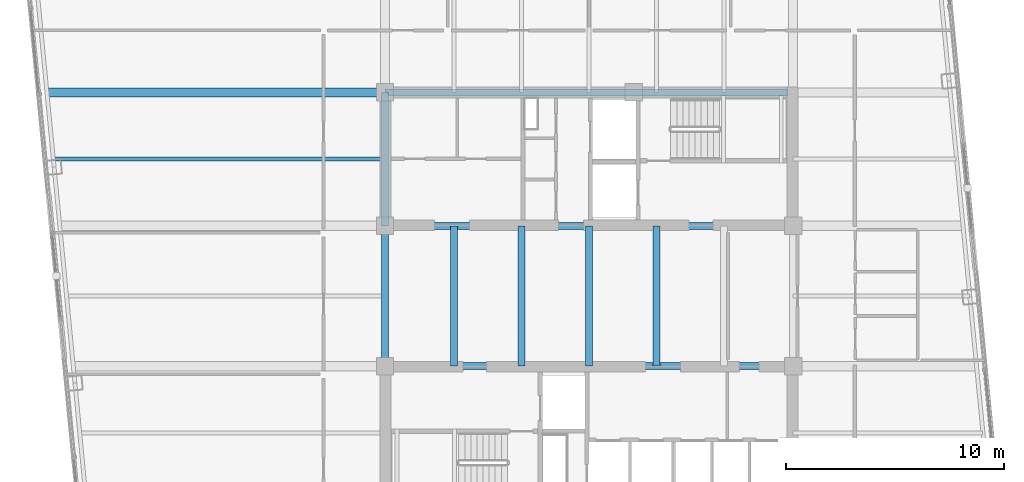
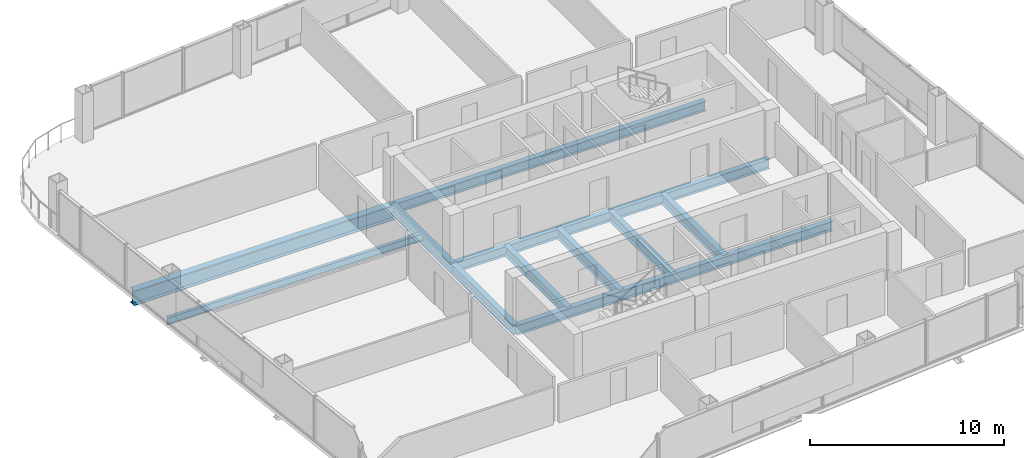
# One storey, part 8 of 22: 11 beams.
"""IFC4 building model written with IfcOpenShell, lengths in metres."""

from ifc_helpers import new_model, si_unit, direction, frame, origin, origin_2d, place, context, subcontext, project, spatial, i_section, extrude, material, material_profile, profile_set, type_object, element, save


model = new_model("IFC4")

# Units and contexts
model_context = context("Model", 3, precision=1e-05, world=origin(), true_north=direction((0.0, 1.0)))
body_context = subcontext(model_context, "Body", "Model", "MODEL_VIEW")
ifc_project = project(units=[si_unit("LENGTHUNIT", "METRE"), si_unit("AREAUNIT", "SQUARE_METRE"), si_unit("VOLUMEUNIT", "CUBIC_METRE"), si_unit("PLANEANGLEUNIT", "RADIAN"), si_unit("MASSUNIT", "GRAM", prefix="KILO")], contexts=[model_context])

# Site, building, storey
site_placement = place(None, origin())
site = spatial("IfcSite", under=ifc_project, at=site_placement, CompositionType="ELEMENT")
building_placement = place(site_placement, origin())
building = spatial("IfcBuilding", under=site, at=building_placement, Name="Qhalaya Broadcast Tower", CompositionType="ELEMENT")
storey_placement = place(building_placement, frame((0.0, 0.0, 174.449951171875)))
storey = spatial("IfcBuildingStorey", under=building, at=storey_placement, Name="L51", CompositionType="ELEMENT", Elevation=174.449951171875)

# Beams
ifc_material = material(Name="Structural Steel ASTM A992 Grade 50", Category="steel")
ifc_material_profile_1 = material_profile(ifc_material, i_section(OverallWidth=0.19189453125, OverallDepth=0.462890625, WebThickness=0.010498046875, FlangeThickness=0.017578125, at=origin_2d()), Name="W18X60")
ifc_profile_set_1 = profile_set([ifc_material_profile_1], Name="Structural Steel ASTM A992 Grade 50")
beam_type_1 = type_object("IfcBeamType", Name="Composite Floor Joist J03", PredefinedType="JOIST", material=ifc_profile_set_1)
beam_1_placement = place(storey_placement, frame((-24.589111328125, 6.89990234375, -0.451416015625), z_axis=(1.0, 0.0, 0.0), x_axis=(0.0, 1.0, 0.0)))
element("IfcBeam", 1, at=beam_1_placement, inside=storey, type_object=beam_type_1, Name="L51 J03 L51-JWE5W-1", PredefinedType="JOIST", context=body_context, shape_type="SweptSolid", body=[
    extrude(i_section(OverallWidth=0.19189453125, OverallDepth=0.462890625, WebThickness=0.010498046875, FlangeThickness=0.017578125, at=origin_2d()), origin(), (0.0, 0.0, 1.0), 15.214111328125),
])
ifc_material_profile_2 = material_profile(ifc_material, i_section(OverallWidth=0.323974609375, OverallDepth=0.612060546875, WebThickness=0.0126953125, FlangeThickness=0.01904296875, at=origin_2d()), Name="W24X104")
ifc_profile_set_2 = profile_set([ifc_material_profile_2], Name="Structural Steel ASTM A992 Grade 50")
beam_type_2 = type_object("IfcBeamType", Name="Core Frame Tie Beam B04", PredefinedType="BEAM", material=ifc_profile_set_2)
beam_2_placement = place(storey_placement, frame((-9.375, 3.824951171875, -0.52587890625), z_axis=(1.0, 0.0, 0.0), x_axis=(0.0, 1.0, 0.0)))
element("IfcBeam", 2, at=beam_2_placement, inside=storey, type_object=beam_type_2, Name="L51 B04 L51-CCN1", PredefinedType="BEAM", context=body_context, shape_type="SweptSolid", body=[
    extrude(i_section(OverallWidth=0.323974609375, OverallDepth=0.612060546875, WebThickness=0.0126953125, FlangeThickness=0.01904296875, at=origin_2d()), origin(), (0.0, 0.0, 1.0), 18.75),
])
beam_3_placement = place(storey_placement, frame((-9.375, 3.824951171875, -0.52587890625), z_axis=(0.0, 1.0, 0.0), x_axis=(-1.0, 0.0, 0.0)))
element("IfcBeam", 3, at=beam_3_placement, inside=storey, type_object=beam_type_2, Name="L51 B04 L51-CCN2", PredefinedType="BEAM", context=body_context, shape_type="SweptSolid", body=[
    extrude(i_section(OverallWidth=0.323974609375, OverallDepth=0.612060546875, WebThickness=0.0126953125, FlangeThickness=0.01904296875, at=origin_2d()), origin(), (0.0, 0.0, 1.0), 6.125),
])
beam_4_placement = place(storey_placement, frame((-9.375, 9.949951171875, -0.52587890625), z_axis=(1.0, 0.0, 0.0), x_axis=(0.0, 1.0, 0.0)))
element("IfcBeam", 4, at=beam_4_placement, inside=storey, type_object=beam_type_2, Name="L51 B04 L51-CCN3", PredefinedType="BEAM", context=body_context, shape_type="SweptSolid", body=[
    extrude(i_section(OverallWidth=0.323974609375, OverallDepth=0.612060546875, WebThickness=0.0126953125, FlangeThickness=0.01904296875, at=origin_2d()), origin(), (0.0, 0.0, 1.0), 18.4951171875),
])
beam_5_placement = place(storey_placement, frame((-9.375, -2.625, -0.52587890625), z_axis=(1.0, 0.0, 0.0), x_axis=(0.0, 1.0, 0.0)))
element("IfcBeam", 5, at=beam_5_placement, inside=storey, type_object=beam_type_2, Name="L51 B04 L51-CCS1", PredefinedType="BEAM", context=body_context, shape_type="SweptSolid", body=[
    extrude(i_section(OverallWidth=0.323974609375, OverallDepth=0.612060546875, WebThickness=0.0126953125, FlangeThickness=0.01904296875, at=origin_2d()), origin(), (0.0, 0.0, 1.0), 18.75),
])
for number, where, z_axis, x_axis, name in (
    (6, (-9.375, -2.625, -0.52587890625), (0.0, 1.0, 0.0), (-1.0, 0.0, 0.0), "L51 B04 L51-CCW"),
    (7, (-6.199951171875, -2.625, -0.52587890625), (0.0, 1.0, 0.0), (-1.0, 0.0, 0.0), "L51 B04 L51-JC1-1"),
    (8, (-3.10009765625, -2.625, -0.52587890625), (0.0, 1.0, 0.0), (-1.0, 0.0, 0.0), "L51 B04 L51-JC2-1"),
    (9, (0.0, -2.625, -0.52587890625), (0.0, 1.0, 0.0), (-1.0, 0.0, 0.0), "L51 B04 L51-JC3-1"),
    (10, (3.10009765625, -2.625, -0.52587890625), (0.0, 1.0, 0.0), (-1.0, 0.0, 0.0), "L51 B04 L51-JC4-1"),
):
    element("IfcBeam", number, at=place(storey_placement, frame(where, z_axis=z_axis, x_axis=x_axis)), inside=storey, type_object=beam_type_2, Name=name, PredefinedType="BEAM", context=body_context, shape_type="SweptSolid", body=[
        extrude(i_section(OverallWidth=0.323974609375, OverallDepth=0.612060546875, WebThickness=0.0126953125, FlangeThickness=0.01904296875, at=origin_2d()), origin(), (0.0, 0.0, 1.0), 6.449951171875),
    ])
ifc_material_profile_3 = material_profile(ifc_material, i_section(OverallWidth=0.4189453125, OverallDepth=0.927001953125, WebThickness=0.019287109375, FlangeThickness=0.031982421875, at=origin_2d()), Name="W36X231")
ifc_profile_set_3 = profile_set([ifc_material_profile_3], Name="Structural Steel ASTM A992 Grade 50")
beam_type_3 = type_object("IfcBeamType", Name="Mid Block Primary Girder PG3", PredefinedType="USERDEFINED", material=ifc_profile_set_3)
beam_6_placement = place(storey_placement, frame((-24.882568359375, 9.949951171875, -0.683349609375), z_axis=(1.0, 0.0, 0.0), x_axis=(0.0, 1.0, 0.0)))
element("IfcBeam", 11, at=beam_6_placement, inside=storey, type_object=beam_type_3, Name="L51 PG3 L51-PGYW4-1", ObjectType="GIRDER", PredefinedType="USERDEFINED", context=body_context, shape_type="SweptSolid", body=[
    extrude(i_section(OverallWidth=0.4189453125, OverallDepth=0.927001953125, WebThickness=0.019287109375, FlangeThickness=0.031982421875, at=origin_2d()), origin(), (0.0, 0.0, 1.0), 15.507568359375),
])

save(model, "model.ifc")
